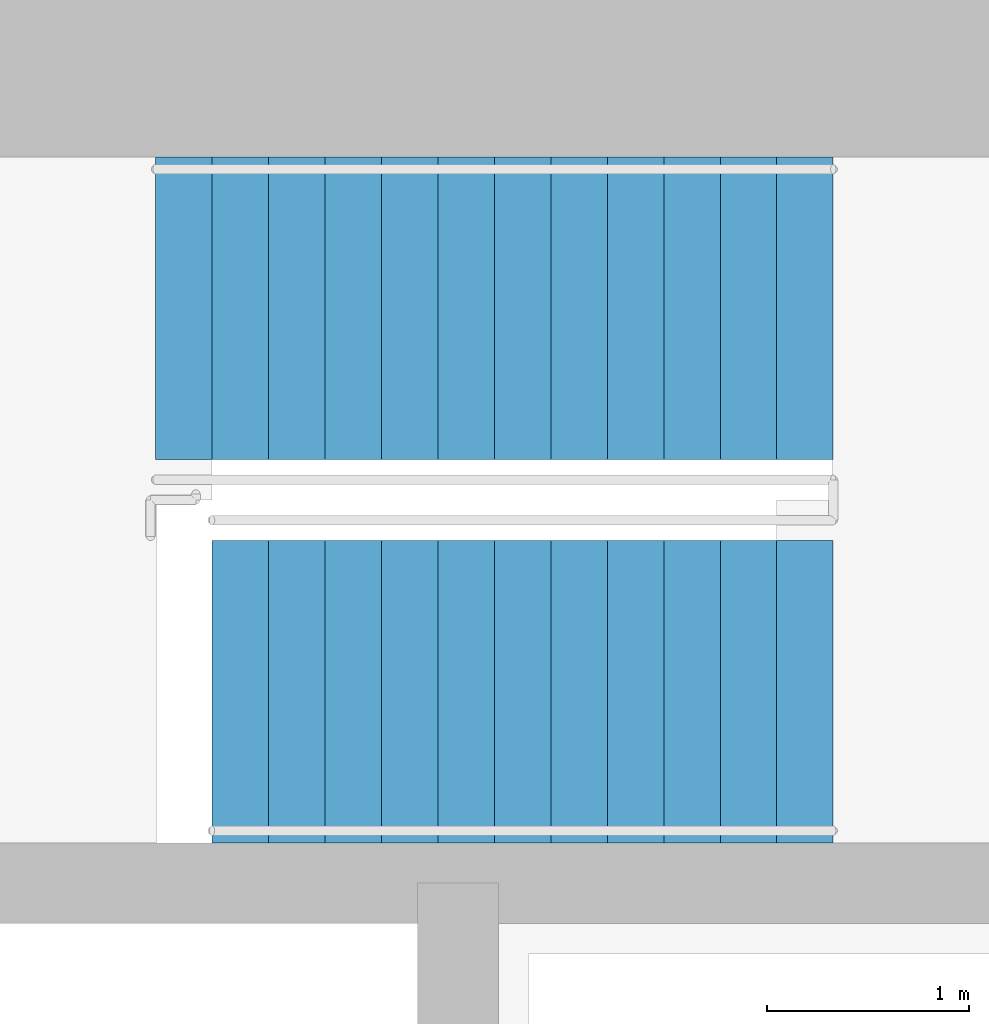
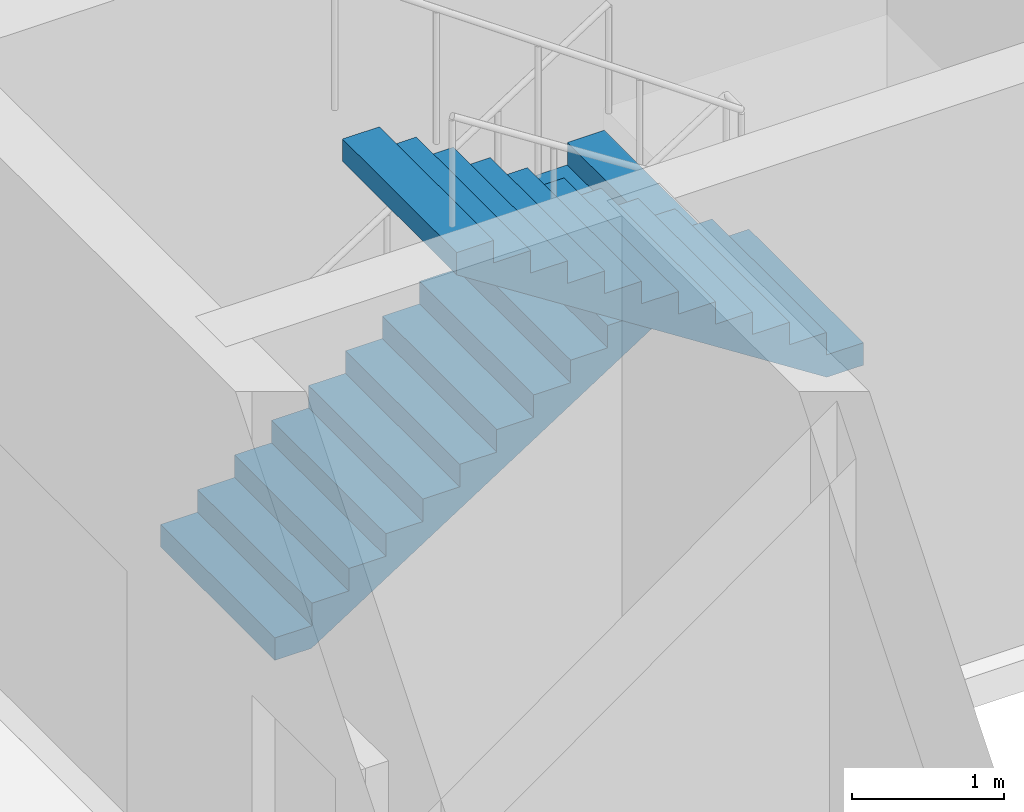
# One storey, part 13 of 17: 2 stair flights, 1 element without a shape of its own.
"""IFC4 building model written with IfcOpenShell, lengths in metres."""

import ifcopenshell
import ifcopenshell.guid

model = None  # the IFC model being written
_history = None  # IfcOwnerHistory: only IFC2X3 demands one
_inside = {}  # id of a spatial element -> (the spatial element, [elements in it])
_under = {}  # id of a project, library or spatial element -> (it, [spatial elements below it])
_declared = {}  # id of a project -> (the project, [libraries it declares])
_typed = {}  # id of a type object -> (the type object, [elements of that type])
_made_of = {}  # id of a material, layer set ... -> (it, [elements and type objects made of it])


def new_model(schema):
    """Start an empty IFC model of exactly this schema.

    Asked for "IFC4X3", IfcOpenShell would pick the latest addendum, in which some entities
    have other attributes; the version numbers below select the first issue.
    IFC2X3 requires an IfcOwnerHistory on every rooted entity: one is made here for all.
    """
    global model, _history
    if schema == "IFC4X3":
        model = ifcopenshell.file(schema_version=(4, 3, 0, 0))
    else:
        model = ifcopenshell.file(schema=schema)
    _inside.clear()
    _under.clear()
    _declared.clear()
    _typed.clear()
    _made_of.clear()
    _history = None
    if model.schema == "IFC2X3":
        org = make("IfcOrganization", Name="unknown")
        user = make(
            "IfcPersonAndOrganization",
            ThePerson=make("IfcPerson", FamilyName="unknown"),
            TheOrganization=org,
        )
        app = make(
            "IfcApplication",
            ApplicationDeveloper=org,
            Version="unknown",
            ApplicationFullName="unknown",
            ApplicationIdentifier="unknown",
        )
        _history = make(
            "IfcOwnerHistory",
            OwningUser=user,
            OwningApplication=app,
            ChangeAction="ADDED",
            CreationDate=0,
        )
    return model


def make(cls, **values):
    """One entity of the class cls with the attributes given. An attribute that is None is left unset."""
    return model.create_entity(
        cls, **{name: value for name, value in values.items() if value is not None}
    )


def rooted(cls, **values):
    """An entity with a GlobalId (a new one), such as an element, a storey or a relation."""
    return make(cls, GlobalId=ifcopenshell.guid.new(), OwnerHistory=_history, **values)


def si_unit(unit_type, name, prefix=None):
    """IfcSIUnit, for example si_unit("LENGTHUNIT", "METRE", prefix="MILLI")."""
    return make("IfcSIUnit", UnitType=unit_type, Prefix=prefix, Name=name)


def assignment(units):
    """IfcUnitAssignment: the units of a project."""
    return None if units is None else make("IfcUnitAssignment", Units=units)


def point(xyz):
    """IfcCartesianPoint."""
    return None if xyz is None else make("IfcCartesianPoint", Coordinates=xyz)


def direction(xyz):
    """IfcDirection."""
    return None if xyz is None else make("IfcDirection", DirectionRatios=xyz)


def frame(location, z_axis=None, x_axis=None):
    """IfcAxis2Placement3D, a coordinate frame: its origin and axes. An axis left out is left unset."""
    return make(
        "IfcAxis2Placement3D",
        Location=point(location),
        Axis=direction(z_axis),
        RefDirection=direction(x_axis),
    )


def origin():
    """The frame at (0, 0, 0) with its axes left unset."""
    return frame((0.0, 0.0, 0.0))


def place(relative_to, where):
    """IfcLocalPlacement: puts the frame where relative to a parent placement (None: the world)."""
    return make(
        "IfcLocalPlacement", PlacementRelTo=relative_to, RelativePlacement=where
    )


def context(
    kind, dimensions, precision=None, world=None, true_north=None, identifier=None
):
    """IfcGeometricRepresentationContext, for example the 3D "Model" context."""
    return make(
        "IfcGeometricRepresentationContext",
        ContextIdentifier=identifier,
        ContextType=kind,
        CoordinateSpaceDimension=dimensions,
        Precision=precision,
        WorldCoordinateSystem=world,
        TrueNorth=true_north,
    )


def subcontext(parent, identifier, kind, view, scale=None):
    """IfcGeometricRepresentationSubContext, for example "Body" below "Model"."""
    return make(
        "IfcGeometricRepresentationSubContext",
        ContextIdentifier=identifier,
        ContextType=kind,
        ParentContext=parent,
        TargetScale=scale,
        TargetView=view,
    )


def project(units=None, contexts=None):
    """IfcProject with its units and contexts."""
    return rooted(
        "IfcProject",
        Name="project",
        RepresentationContexts=contexts,
        UnitsInContext=assignment(units),
    )


def spatial(cls, under=None, at=None, **own):
    """A site, building, storey or space (cls), placed at a placement, below another one or the project."""
    s = rooted(cls, ObjectPlacement=at, **own)
    if under is not None:
        _under.setdefault(under.id(), (under, []))[1].append(s)
    return s


def polyline(points):
    """IfcPolyline through the points."""
    return make("IfcPolyline", Points=[point(p) for p in points])


def outline(outer, holes=None, kind="AREA"):
    """IfcArbitraryClosedProfileDef: a profile drawn as a closed curve; with holes, ...WithVoids."""
    if holes is None:
        return make("IfcArbitraryClosedProfileDef", ProfileType=kind, OuterCurve=outer)
    return make(
        "IfcArbitraryProfileDefWithVoids",
        ProfileType=kind,
        OuterCurve=outer,
        InnerCurves=holes,
    )


def extrude(swept, where, along, depth):
    """IfcExtrudedAreaSolid: the profile swept, set in the frame where, extruded along a direction by depth."""
    return make(
        "IfcExtrudedAreaSolid",
        SweptArea=swept,
        Position=where,
        ExtrudedDirection=direction(along),
        Depth=depth,
    )


def shape(context_of_items, identifier, shape_type, items):
    """IfcShapeRepresentation: the items that make up one representation, for example the "Body"."""
    return make(
        "IfcShapeRepresentation",
        ContextOfItems=context_of_items,
        RepresentationIdentifier=identifier,
        RepresentationType=shape_type,
        Items=items,
    )


def material(Name=None, Category=None):
    """IfcMaterial."""
    return make("IfcMaterial", Name=Name, Category=Category)


def made_of(thing, what):
    """Note that an element or type object is made of a material, layer set ...; save() writes the relation."""
    if what is not None:
        _made_of.setdefault(what.id(), (what, []))[1].append(thing)
    return thing


def type_object(cls, material=None, **own):
    """A type object (cls), such as IfcWallType, which elements share."""
    return made_of(rooted(cls, **own), material)


def element(
    cls,
    number,
    at=None,
    inside=None,
    cuts=None,
    type_object=None,
    material=None,
    context=None,
    identifier="Body",
    shape_type=None,
    held_by="IfcProductDefinitionShape",
    body=None,
    shapes=None,
    **own,
):
    """One element of the class cls, such as IfcWall. Its Tag is "e" and its number.

    at: its placement. inside: the storey or other place that contains it. cuts: it is an
    opening in that element (IfcRelVoidsElement). A single representation is given by context,
    identifier, shape_type and body (its items); several are given by shapes. held_by: the class
    of the entity that holds the representations. save() writes the other relations.
    """
    e = rooted(cls, Tag="e%d" % number, ObjectPlacement=at, **own)
    if body is not None:
        shapes = [shape(context, identifier, shape_type, body)]
    if shapes is not None:
        e.Representation = make(held_by, Representations=shapes)
    if inside is not None:
        _inside.setdefault(inside.id(), (inside, []))[1].append(e)
    if cuts is not None:
        rooted(
            "IfcRelVoidsElement", RelatingBuildingElement=cuts, RelatedOpeningElement=e
        )
    if type_object is not None:
        _typed.setdefault(type_object.id(), (type_object, []))[1].append(e)
    return made_of(e, material)


def aggregate(whole, parts):
    """IfcRelAggregates: a whole, such as a stair, and the parts it consists of."""
    return rooted("IfcRelAggregates", RelatingObject=whole, RelatedObjects=parts)


def save(model, path):
    """Write the relations noted so far, then the file.

    IfcRelAggregates (storeys below a building ...), IfcRelContainedInSpatialStructure (elements
    in a storey), IfcRelDefinesByType, IfcRelAssociatesMaterial and IfcRelDeclares: one each for
    every whole, place, type object, material and project.
    """
    for whole, parts in _under.values():
        aggregate(whole, parts)
    for where, things in _inside.values():
        rooted(
            "IfcRelContainedInSpatialStructure",
            RelatedElements=things,
            RelatingStructure=where,
        )
    for kind, things in _typed.values():
        rooted("IfcRelDefinesByType", RelatedObjects=things, RelatingType=kind)
    for what, things in _made_of.values():
        rooted("IfcRelAssociatesMaterial", RelatedObjects=things, RelatingMaterial=what)
    for by, libraries in _declared.values():
        rooted("IfcRelDeclares", RelatingContext=by, RelatedDefinitions=libraries)
    model.write(path)


model = new_model("IFC4")

# Units and contexts
model_context = context("Model", 3, precision=1e-05, world=origin(), true_north=direction((0.0, 1.0)))
body_context = subcontext(model_context, "Body", "Model", "MODEL_VIEW")
ifc_project = project(units=[si_unit("LENGTHUNIT", "METRE"), si_unit("AREAUNIT", "SQUARE_METRE"), si_unit("VOLUMEUNIT", "CUBIC_METRE"), si_unit("PLANEANGLEUNIT", "RADIAN"), si_unit("MASSUNIT", "GRAM", prefix="KILO")], contexts=[model_context])

# Site, building, storey
site_placement = place(None, origin())
site = spatial("IfcSite", under=ifc_project, at=site_placement, CompositionType="ELEMENT")
building_placement = place(site_placement, origin())
building = spatial("IfcBuilding", under=site, at=building_placement, Name="Claustro Exchange Tower", CompositionType="ELEMENT")
storey_placement = place(building_placement, frame((0.0, 0.0, 96.300048828125)))
storey = spatial("IfcBuildingStorey", under=building, at=storey_placement, Name="L21", CompositionType="ELEMENT", Elevation=96.300048828125)

# Stair, stair flights
ifc_material_1 = material(Name="Concrete HA-30 (C30/37), precast", Category="concrete")
stair_type = type_object("IfcStairType", Name="ST2 half-turn stair, 25 risers of 180", PredefinedType="HALF_TURN_STAIR", material=ifc_material_1)
stair_placement = place(storey_placement, origin())
stair = element("IfcStair", 1, at=stair_placement, inside=storey, type_object=stair_type, Name="Stair STEB L21", PredefinedType="HALF_TURN_STAIR")
ifc_material_2 = material(Name="Concrete HA-30 (C30/37), precast", Category="concrete")
stair_flight_type_1 = type_object("IfcStairFlightType", Name="SF12B straight flight, 12 risers of 180, 1500 wide", PredefinedType="STRAIGHT", material=ifc_material_2)
stair_flight_1_placement = place(storey_placement, frame((48.56005859375, 34.25, 2.33984375), z_axis=(0.0, 0.0, 1.0), x_axis=(-1.0, 0.0, 0.0)))
stair_flight_1 = element("IfcStairFlight", 2, at=stair_flight_1_placement, type_object=stair_flight_type_1, Name="STEB flight 2", NumberOfRisers=12, NumberOfTreads=11, PredefinedType="STRAIGHT", RiserHeight=0.18, TreadLength=0.28, context=body_context, shape_type="SweptSolid", body=[
    extrude(outline(polyline([(0.0, 0.0), (0.0, 0.179931640625), (0.280029296875, 0.179931640625), (0.280029296875, 0.360107421875), (0.56005859375, 0.360107421875), (0.56005859375, 0.5400390625), (0.840087890625, 0.5400390625), (0.840087890625, 0.719970703125), (1.1201171875, 0.719970703125), (1.1201171875, 0.89990234375), (1.39990234375, 0.89990234375), (1.39990234375, 1.080078125), (1.679931640625, 1.080078125), (1.679931640625, 1.260009765625), (1.9599609375, 1.260009765625), (1.9599609375, 1.43994140625), (2.239990234375, 1.43994140625), (2.239990234375, 1.6201171875), (2.52001953125, 1.6201171875), (2.52001953125, 1.800048828125), (2.800048828125, 1.800048828125), (2.800048828125, 1.97998046875), (3.080078125, 1.97998046875), (3.080078125, 2.159912109375), (3.080078125, 1.8017578125), (0.277099609375, 0.0), (0.0, 0.0)])), frame((0.0, 0.75, 0.0), z_axis=(0.0, -1.0, 0.0), x_axis=(1.0, 0.0, 0.0)), (0.0, 0.0, 1.0), 1.5),
])
ifc_material_3 = material(Name="Concrete HA-30 (C30/37), precast", Category="concrete")
stair_flight_type_2 = type_object("IfcStairFlightType", Name="SF13 straight flight, 13 risers of 180, 1500 wide", PredefinedType="STRAIGHT", material=ifc_material_3)
stair_flight_2_placement = place(storey_placement, frame((45.199951171875, 36.14990234375, 0.0), z_axis=(0.0, 0.0, 1.0), x_axis=(1.0, 0.0, 0.0)))
stair_flight_2 = element("IfcStairFlight", 3, at=stair_flight_2_placement, type_object=stair_flight_type_2, Name="STEB flight 1", NumberOfRisers=13, NumberOfTreads=12, PredefinedType="STRAIGHT", RiserHeight=0.18, TreadLength=0.28, context=body_context, shape_type="SweptSolid", body=[
    extrude(outline(polyline([(0.0, 0.0), (0.0, 0.179931640625), (0.280029296875, 0.179931640625), (0.280029296875, 0.360107421875), (0.56005859375, 0.360107421875), (0.56005859375, 0.5400390625), (0.840087890625, 0.5400390625), (0.840087890625, 0.719970703125), (1.1201171875, 0.719970703125), (1.1201171875, 0.89990234375), (1.39990234375, 0.89990234375), (1.39990234375, 1.080078125), (1.679931640625, 1.080078125), (1.679931640625, 1.260009765625), (1.9599609375, 1.260009765625), (1.9599609375, 1.43994140625), (2.239990234375, 1.43994140625), (2.239990234375, 1.6201171875), (2.52001953125, 1.6201171875), (2.52001953125, 1.800048828125), (2.800048828125, 1.800048828125), (2.800048828125, 1.97998046875), (3.080078125, 1.97998046875), (3.080078125, 2.159912109375), (3.360107421875, 2.159912109375), (3.360107421875, 2.340087890625), (3.360107421875, 1.981689453125), (0.277099609375, 0.0), (0.0, 0.0)])), frame((0.0, 0.75, 0.0), z_axis=(0.0, -1.0, 0.0), x_axis=(1.0, 0.0, 0.0)), (0.0, 0.0, 1.0), 1.5),
])
aggregate(stair, [stair_flight_2, stair_flight_1])

save(model, "model.ifc")
